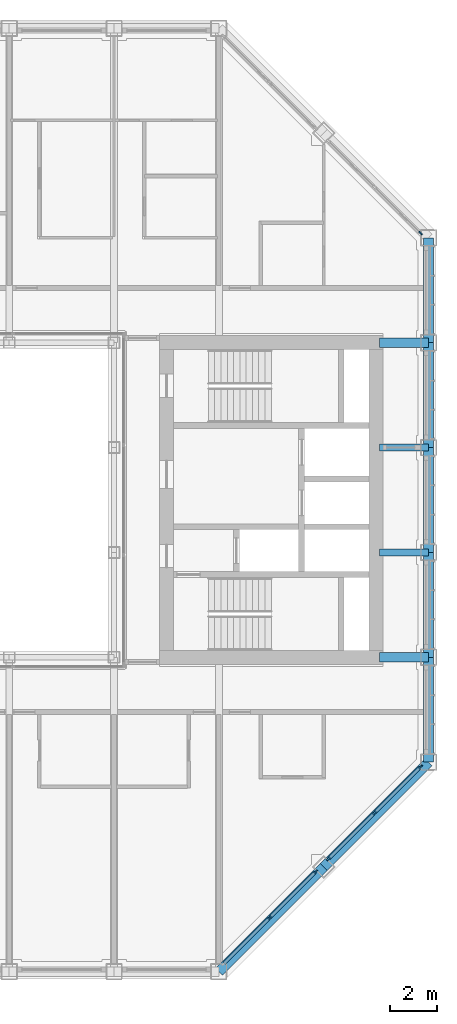
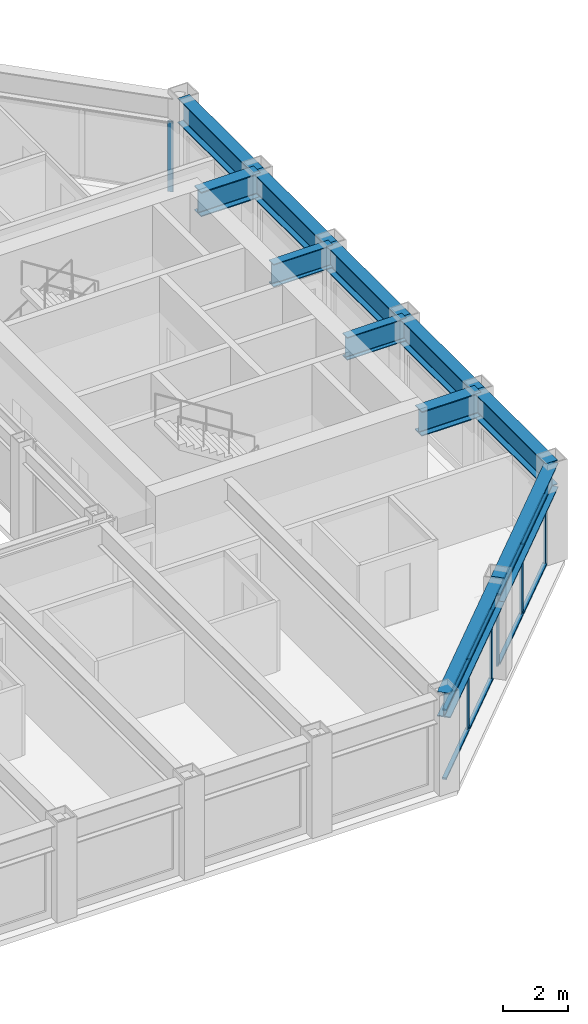
# One storey, part 5 of 18: 14 members, 11 beams, 3 elements without a shape of their own.
"""IFC4 building model written with IfcOpenShell, lengths in metres."""

from ifc_helpers import new_model, si_unit, direction, frame, origin, origin_2d, place, context, subcontext, project, spatial, rectangle, i_section, extrude, material, material_profile, profile_set, type_object, element, aggregate, save


model = new_model("IFC4")

# Units and contexts
model_context = context("Model", 3, precision=1e-05, world=origin(), true_north=direction((0.0, 1.0)))
body_context = subcontext(model_context, "Body", "Model", "MODEL_VIEW")
ifc_project = project(units=[si_unit("LENGTHUNIT", "METRE"), si_unit("AREAUNIT", "SQUARE_METRE"), si_unit("VOLUMEUNIT", "CUBIC_METRE"), si_unit("PLANEANGLEUNIT", "RADIAN"), si_unit("MASSUNIT", "GRAM", prefix="KILO")], contexts=[model_context])

# Site, building, storey
site_placement = place(None, origin())
site = spatial("IfcSite", under=ifc_project, at=site_placement, CompositionType="ELEMENT")
building_placement = place(site_placement, origin())
building = spatial("IfcBuilding", under=site, at=building_placement, Name="Msasa Ring Tower", CompositionType="ELEMENT")
storey_placement = place(building_placement, frame((0.0, 0.0, 230.800048828125)))
storey = spatial("IfcBuildingStorey", under=building, at=storey_placement, Name="L60", CompositionType="ELEMENT", Elevation=230.800048828125)

# Curtain wall, members
ifc_material_1 = material(Name="Aluminium curtain wall with clear glass", Category="aluminium")
curtain_wall_type = type_object("IfcCurtainWallType", Name="CW-C CHAMFER CORNER CURTAIN WALL", PredefinedType="NOTDEFINED", material=ifc_material_1)
curtain_wall_1_placement = place(storey_placement, origin())
curtain_wall_1 = element("IfcCurtainWall", 1, at=curtain_wall_1_placement, inside=storey, type_object=curtain_wall_type, Name="Chamfer corner curtain wall SE L60", PredefinedType="NOTDEFINED")
ifc_material_2 = material(Name="Aluminium mullion", Category="aluminium")
ifc_material_profile_1 = material_profile(ifc_material_2, rectangle(XDim=0.06494140625, YDim=0.179931640625, at=origin_2d()), Name="AL 65x180")
ifc_profile_set_1 = profile_set([ifc_material_profile_1], Name="Aluminium mullion")
member_type_1 = type_object("IfcMemberType", Name="CW-C MULLION 65x180", PredefinedType="MULLION", material=ifc_profile_set_1)
member_1_placement = place(storey_placement, frame((13.42919921875, -17.92919921875, 0.0), z_axis=(0.0, 0.0, 1.0), x_axis=(-0.707106781187, 0.707106781187, 0.0)))
member_1 = element("IfcMember", 2, at=member_1_placement, type_object=member_type_1, Name="CW-C mullion 2", PredefinedType="MULLION", context=body_context, shape_type="SweptSolid", body=[
    extrude(rectangle(XDim=0.06494140625, YDim=0.179931640625, at=origin_2d()), origin(), (0.0, 0.0, 1.0), 2.62890625),
])
member_2_placement = place(storey_placement, frame((15.4052734375, -15.953369140625, 0.0), z_axis=(0.0, 0.0, 1.0), x_axis=(-0.707106781187, 0.707106781187, 0.0)))
member_2 = element("IfcMember", 3, at=member_2_placement, type_object=member_type_1, Name="CW-C mullion 3", PredefinedType="MULLION", context=body_context, shape_type="SweptSolid", body=[
    extrude(rectangle(XDim=0.06494140625, YDim=0.179931640625, at=origin_2d()), origin(), (0.0, 0.0, 1.0), 2.62890625),
])

curtain_wall_2_placement = place(storey_placement, origin())
curtain_wall_2 = element("IfcCurtainWall", 4, at=curtain_wall_2_placement, inside=storey, type_object=curtain_wall_type, Name="Chamfer corner curtain wall SE L60", PredefinedType="NOTDEFINED")
member_3_placement = place(storey_placement, frame((15.953369140625, -15.4052734375, 0.0), z_axis=(0.0, 0.0, 1.0), x_axis=(-0.707106781187, 0.707106781187, 0.0)))
member_3 = element("IfcMember", 5, at=member_3_placement, type_object=member_type_1, Name="CW-C mullion 1", PredefinedType="MULLION", context=body_context, shape_type="SweptSolid", body=[
    extrude(rectangle(XDim=0.06494140625, YDim=0.179931640625, at=origin_2d()), origin(), (0.0, 0.0, 1.0), 2.62890625),
])
member_4_placement = place(storey_placement, frame((17.92919921875, -13.42919921875, 0.0), z_axis=(0.0, 0.0, 1.0), x_axis=(-0.707106781187, 0.707106781187, 0.0)))
member_4 = element("IfcMember", 6, at=member_4_placement, type_object=member_type_1, Name="CW-C mullion 2", PredefinedType="MULLION", context=body_context, shape_type="SweptSolid", body=[
    extrude(rectangle(XDim=0.06494140625, YDim=0.179931640625, at=origin_2d()), origin(), (0.0, 0.0, 1.0), 2.62890625),
])
member_5_placement = place(storey_placement, frame((19.9052734375, -11.453369140625, 0.0), z_axis=(0.0, 0.0, 1.0), x_axis=(-0.707106781187, 0.707106781187, 0.0)))
member_5 = element("IfcMember", 7, at=member_5_placement, type_object=member_type_1, Name="CW-C mullion 3", PredefinedType="MULLION", context=body_context, shape_type="SweptSolid", body=[
    extrude(rectangle(XDim=0.06494140625, YDim=0.179931640625, at=origin_2d()), origin(), (0.0, 0.0, 1.0), 2.62890625),
])

# Curtain wall, member
curtain_wall_3_placement = place(storey_placement, origin())
curtain_wall_3 = element("IfcCurtainWall", 8, at=curtain_wall_3_placement, inside=storey, type_object=curtain_wall_type, Name="Chamfer corner curtain wall NE L60", PredefinedType="NOTDEFINED")
member_6_placement = place(storey_placement, frame((19.9052734375, 11.453369140625, 0.0), z_axis=(0.0, 0.0, 1.0), x_axis=(-0.707106781187, -0.707106781187, 0.0)))
member_6 = element("IfcMember", 9, at=member_6_placement, type_object=member_type_1, Name="CW-C mullion 1", PredefinedType="MULLION", context=body_context, shape_type="SweptSolid", body=[
    extrude(rectangle(XDim=0.06494140625, YDim=0.179931640625, at=origin_2d()), origin(), (0.0, 0.0, 1.0), 2.62890625),
])
aggregate(curtain_wall_3, [member_6])

# Member
ifc_material_3 = material(Name="Aluminium transom", Category="aluminium")
ifc_material_profile_2 = material_profile(ifc_material_3, rectangle(XDim=0.139892578125, YDim=0.06494140625, at=origin_2d()), Name="AL 65x140")
ifc_profile_set_2 = profile_set([ifc_material_profile_2], Name="Aluminium transom")
member_type_2 = type_object("IfcMemberType", Name="CW-C TRANSOM 65x140", PredefinedType="USERDEFINED", material=ifc_profile_set_2)
member_7_placement = place(storey_placement, frame((11.476318359375, -19.88232421875, 0.032470703125), z_axis=(0.707106781187, 0.707106781187, 0.0), x_axis=(-0.707106781187, 0.707106781187, 0.0)))
member_7 = element("IfcMember", 10, at=member_7_placement, type_object=member_type_2, Name="CW-C transom 1.1", ObjectType="TRANSOM", PredefinedType="USERDEFINED", context=body_context, shape_type="SweptSolid", body=[
    extrude(rectangle(XDim=0.139892578125, YDim=0.06494140625, at=origin_2d()), origin(), (0.0, 0.0, 1.0), 2.729248046875),
])

member_8_placement = place(storey_placement, frame((11.476318359375, -19.88232421875, 2.596435546875), z_axis=(0.707106781187, 0.707106781187, 0.0), x_axis=(-0.707106781187, 0.707106781187, 0.0)))
member_8 = element("IfcMember", 11, at=member_8_placement, type_object=member_type_2, Name="CW-C transom 1.2", ObjectType="TRANSOM", PredefinedType="USERDEFINED", context=body_context, shape_type="SweptSolid", body=[
    extrude(rectangle(XDim=0.139892578125, YDim=0.06494140625, at=origin_2d()), origin(), (0.0, 0.0, 1.0), 2.729248046875),
])

member_9_placement = place(storey_placement, frame((13.452392578125, -17.90625, 0.032470703125), z_axis=(0.707106781187, 0.707106781187, 0.0), x_axis=(-0.707106781187, 0.707106781187, 0.0)))
member_9 = element("IfcMember", 12, at=member_9_placement, type_object=member_type_2, Name="CW-C transom 2.1", ObjectType="TRANSOM", PredefinedType="USERDEFINED", context=body_context, shape_type="SweptSolid", body=[
    extrude(rectangle(XDim=0.139892578125, YDim=0.06494140625, at=origin_2d()), origin(), (0.0, 0.0, 1.0), 2.729248046875),
])

member_10_placement = place(storey_placement, frame((13.452392578125, -17.90625, 2.596435546875), z_axis=(0.707106781187, 0.707106781187, 0.0), x_axis=(-0.707106781187, 0.707106781187, 0.0)))
member_10 = element("IfcMember", 13, at=member_10_placement, type_object=member_type_2, Name="CW-C transom 2.2", ObjectType="TRANSOM", PredefinedType="USERDEFINED", context=body_context, shape_type="SweptSolid", body=[
    extrude(rectangle(XDim=0.139892578125, YDim=0.06494140625, at=origin_2d()), origin(), (0.0, 0.0, 1.0), 2.729248046875),
])

aggregate(curtain_wall_1, [member_1, member_2, member_7, member_8, member_9, member_10])

member_11_placement = place(storey_placement, frame((15.976318359375, -15.38232421875, 0.032470703125), z_axis=(0.707106781187, 0.707106781187, 0.0), x_axis=(-0.707106781187, 0.707106781187, 0.0)))
member_11 = element("IfcMember", 14, at=member_11_placement, type_object=member_type_2, Name="CW-C transom 1.1", ObjectType="TRANSOM", PredefinedType="USERDEFINED", context=body_context, shape_type="SweptSolid", body=[
    extrude(rectangle(XDim=0.139892578125, YDim=0.06494140625, at=origin_2d()), origin(), (0.0, 0.0, 1.0), 2.729248046875),
])

member_12_placement = place(storey_placement, frame((15.976318359375, -15.38232421875, 2.596435546875), z_axis=(0.707106781187, 0.707106781187, 0.0), x_axis=(-0.707106781187, 0.707106781187, 0.0)))
member_12 = element("IfcMember", 15, at=member_12_placement, type_object=member_type_2, Name="CW-C transom 1.2", ObjectType="TRANSOM", PredefinedType="USERDEFINED", context=body_context, shape_type="SweptSolid", body=[
    extrude(rectangle(XDim=0.139892578125, YDim=0.06494140625, at=origin_2d()), origin(), (0.0, 0.0, 1.0), 2.729248046875),
])

member_13_placement = place(storey_placement, frame((17.952392578125, -13.40625, 0.032470703125), z_axis=(0.707106781187, 0.707106781187, 0.0), x_axis=(-0.707106781187, 0.707106781187, 0.0)))
member_13 = element("IfcMember", 16, at=member_13_placement, type_object=member_type_2, Name="CW-C transom 2.1", ObjectType="TRANSOM", PredefinedType="USERDEFINED", context=body_context, shape_type="SweptSolid", body=[
    extrude(rectangle(XDim=0.139892578125, YDim=0.06494140625, at=origin_2d()), origin(), (0.0, 0.0, 1.0), 2.729248046875),
])

member_14_placement = place(storey_placement, frame((17.952392578125, -13.40625, 2.596435546875), z_axis=(0.707106781187, 0.707106781187, 0.0), x_axis=(-0.707106781187, 0.707106781187, 0.0)))
member_14 = element("IfcMember", 17, at=member_14_placement, type_object=member_type_2, Name="CW-C transom 2.2", ObjectType="TRANSOM", PredefinedType="USERDEFINED", context=body_context, shape_type="SweptSolid", body=[
    extrude(rectangle(XDim=0.139892578125, YDim=0.06494140625, at=origin_2d()), origin(), (0.0, 0.0, 1.0), 2.729248046875),
])

aggregate(curtain_wall_2, [member_3, member_4, member_5, member_11, member_12, member_13, member_14])

# Beams
ifc_material_4 = material(Name="Steel S355", Category="steel")
ifc_material_profile_3 = material_profile(ifc_material_4, i_section(OverallWidth=0.293701171875, OverallDepth=0.850830078125, WebThickness=0.01611328125, FlangeThickness=0.02685546875, FilletRadius=0.017822265625, at=origin_2d()), Name="UB 838x292x226")
ifc_profile_set_3 = profile_set([ifc_material_profile_3], Name="Steel S355")
beam_type_1 = type_object("IfcBeamType", Name="FB5 UB 838x292x226", PredefinedType="BEAM", material=ifc_profile_set_3)
for number, where, z_axis, x_axis, name in (
    (18, (20.25, -2.25, 3.12451171875), (-1.0, 0.0, 0.0), (0.0, -1.0, 0.0), "Floor beam E -2.25 under L61"),
    (19, (20.25, 2.25, 3.12451171875), (-1.0, 0.0, 0.0), (0.0, -1.0, 0.0), "Floor beam E +2.25 under L61"),
):
    element("IfcBeam", number, at=place(storey_placement, frame(where, z_axis=z_axis, x_axis=x_axis)), inside=storey, type_object=beam_type_1, Name=name, PredefinedType="BEAM", context=body_context, shape_type="SweptSolid", body=[
        extrude(i_section(OverallWidth=0.293701171875, OverallDepth=0.850830078125, WebThickness=0.01611328125, FlangeThickness=0.02685546875, FilletRadius=0.017822265625, at=origin_2d()), origin(), (0.0, 0.0, 1.0), 2.10009765625),
    ])
ifc_material_5 = material(Name="Steel S355", Category="steel")
ifc_material_profile_4 = material_profile(ifc_material_5, i_section(OverallWidth=0.42041015625, OverallDepth=0.9208984375, WebThickness=0.021484375, FlangeThickness=0.03662109375, FilletRadius=0.024169921875, at=origin_2d()), Name="UB 914x419x388")
ifc_profile_set_4 = profile_set([ifc_material_profile_4], Name="Steel S355")
beam_type_2 = type_object("IfcBeamType", Name="GB1 UB 914x419x388", PredefinedType="BEAM", material=ifc_profile_set_4)
for number, where, z_axis, x_axis, name in (
    (20, (18.14990234375, 6.75, 3.08935546875), (1.0, 0.0, 0.0), (0.0, 1.0, 0.0), "Girder E +6.75 under L61"),
    (21, (18.14990234375, -6.75, 3.08935546875), (1.0, 0.0, 0.0), (0.0, 1.0, 0.0), "Girder E -6.75 under L61"),
):
    element("IfcBeam", number, at=place(storey_placement, frame(where, z_axis=z_axis, x_axis=x_axis)), inside=storey, type_object=beam_type_2, Name=name, PredefinedType="BEAM", context=body_context, shape_type="SweptSolid", body=[
        extrude(i_section(OverallWidth=0.42041015625, OverallDepth=0.9208984375, WebThickness=0.021484375, FlangeThickness=0.03662109375, FilletRadius=0.024169921875, at=origin_2d()), origin(), (0.0, 0.0, 1.0), 2.10009765625),
    ])
ifc_material_6 = material(Name="Steel S355", Category="steel")
ifc_material_profile_5 = material_profile(ifc_material_6, i_section(OverallWidth=0.42041015625, OverallDepth=0.9208984375, WebThickness=0.021484375, FlangeThickness=0.03662109375, FilletRadius=0.024169921875, at=origin_2d()), Name="UB 914x419x388")
ifc_profile_set_5 = profile_set([ifc_material_profile_5], Name="Steel S355")
beam_type_3 = type_object("IfcBeamType", Name="SB1 UB 914x419x388", PredefinedType="SPANDREL", material=ifc_profile_set_5)
for number, where, z_axis, x_axis, name in (
    (22, (11.25, -20.25, 3.08935546875), (0.707106781187, 0.707106781187, 0.0), (-0.707106781187, 0.707106781187, 0.0), "Spandrel S+11.25 to SE under L61"),
    (23, (15.75, -15.75, 3.08935546875), (0.707106781187, 0.707106781187, 0.0), (-0.707106781187, 0.707106781187, 0.0), "Spandrel SE to E-11.25 under L61"),
):
    element("IfcBeam", number, at=place(storey_placement, frame(where, z_axis=z_axis, x_axis=x_axis)), inside=storey, type_object=beam_type_3, Name=name, PredefinedType="SPANDREL", context=body_context, shape_type="SweptSolid", body=[
        extrude(i_section(OverallWidth=0.42041015625, OverallDepth=0.9208984375, WebThickness=0.021484375, FlangeThickness=0.03662109375, FilletRadius=0.024169921875, at=origin_2d()), origin(), (0.0, 0.0, 1.0), 6.364013671875),
    ])
for number, where, z_axis, x_axis, name in (
    (24, (20.25, -11.25, 3.08935546875), (0.0, 1.0, 0.0), (-1.0, 0.0, 0.0), "Spandrel E-11.25 to E-6.75 under L61"),
    (25, (20.25, -6.75, 3.08935546875), (0.0, 1.0, 0.0), (-1.0, 0.0, 0.0), "Spandrel E-6.75 to E-2.25 under L61"),
    (26, (20.25, -2.25, 3.08935546875), (0.0, 1.0, 0.0), (-1.0, 0.0, 0.0), "Spandrel E-2.25 to E+2.25 under L61"),
    (27, (20.25, 2.25, 3.08935546875), (0.0, 1.0, 0.0), (-1.0, 0.0, 0.0), "Spandrel E+2.25 to E+6.75 under L61"),
    (28, (20.25, 6.75, 3.08935546875), (0.0, 1.0, 0.0), (-1.0, 0.0, 0.0), "Spandrel E+6.75 to E+11.25 under L61"),
):
    element("IfcBeam", number, at=place(storey_placement, frame(where, z_axis=z_axis, x_axis=x_axis)), inside=storey, type_object=beam_type_3, Name=name, PredefinedType="SPANDREL", context=body_context, shape_type="SweptSolid", body=[
        extrude(i_section(OverallWidth=0.42041015625, OverallDepth=0.9208984375, WebThickness=0.021484375, FlangeThickness=0.03662109375, FilletRadius=0.024169921875, at=origin_2d()), origin(), (0.0, 0.0, 1.0), 4.5),
    ])

save(model, "model.ifc")
